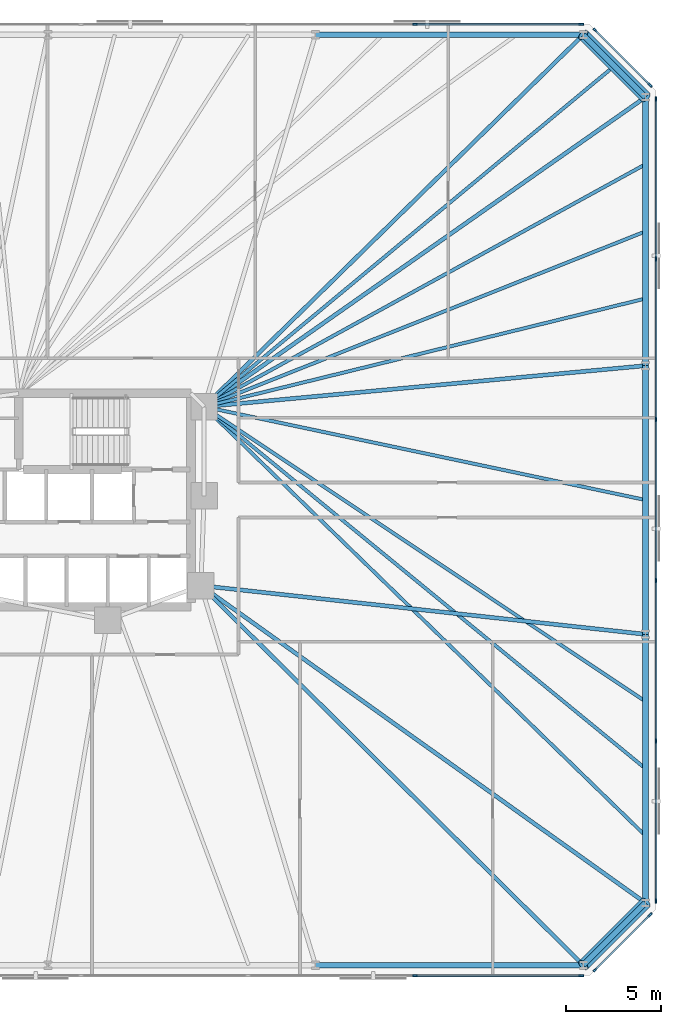
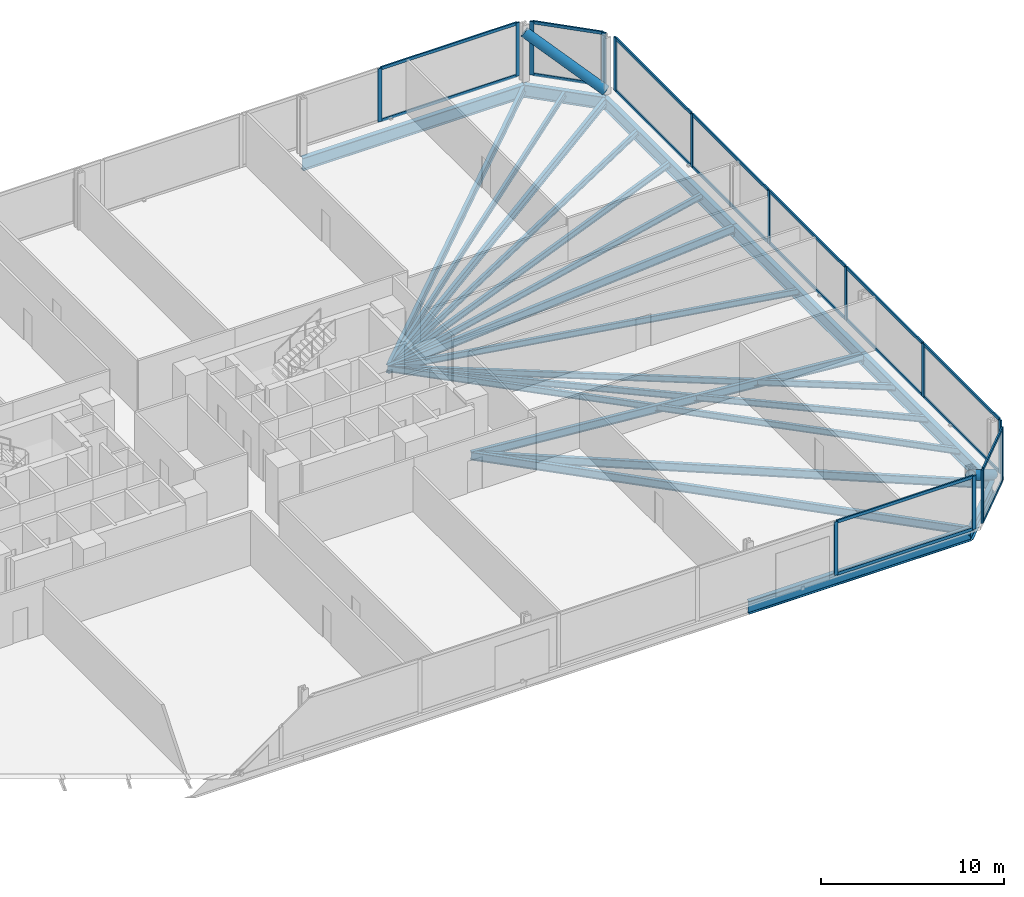
# One storey, part 10 of 17: 34 members, 21 beams, 5 elements without a shape of their own.
"""IFC4 building model written with IfcOpenShell, lengths in metres."""

from ifc_helpers import new_model, si_unit, direction, frame, origin, origin_2d, place, context, subcontext, project, spatial, rectangle, hollow_circle, i_section, extrude, material, material_profile, profile_set, type_object, element, aggregate, save


model = new_model("IFC4")

# Units and contexts
model_context = context("Model", 3, precision=1e-05, world=origin(), true_north=direction((0.0, 1.0)))
body_context = subcontext(model_context, "Body", "Model", "MODEL_VIEW")
ifc_project = project(units=[si_unit("LENGTHUNIT", "METRE"), si_unit("AREAUNIT", "SQUARE_METRE"), si_unit("VOLUMEUNIT", "CUBIC_METRE"), si_unit("PLANEANGLEUNIT", "RADIAN"), si_unit("MASSUNIT", "GRAM", prefix="KILO")], contexts=[model_context])

# Site, building, storey
site_placement = place(None, origin())
site = spatial("IfcSite", under=ifc_project, at=site_placement, CompositionType="ELEMENT")
building_placement = place(site_placement, origin())
building = spatial("IfcBuilding", under=site, at=building_placement, Name="Menara Jurai Vektor", CompositionType="ELEMENT")
storey_placement = place(building_placement, frame((0.0, 0.0, 52.199951171875)))
storey = spatial("IfcBuildingStorey", under=building, at=storey_placement, Name="L12", CompositionType="ELEMENT", Elevation=52.199951171875)

# Curtain wall, members
ifc_material_1 = material(Name="Anodised Pale Aluminium & Low-E Double Glazing", Category="aluminium")
curtain_wall_type = type_object("IfcCurtainWallType", Name="CW-BLK1", PredefinedType="NOTDEFINED", material=ifc_material_1)
curtain_wall_1_placement = place(storey_placement, origin())
curtain_wall_1 = element("IfcCurtainWall", 1, at=curtain_wall_1_placement, inside=storey, type_object=curtain_wall_type, Name="Unitised Curtain Wall L12 F01", PredefinedType="NOTDEFINED")
ifc_material_2 = material(Name="Anodised Pale Aluminium Mullion", Category="aluminium")
ifc_material_profile_1 = material_profile(ifc_material_2, rectangle(XDim=0.094970703125, YDim=0.239990234375, at=origin_2d()), Name="ALU MUL 95x240")
ifc_profile_set_1 = profile_set([ifc_material_profile_1], Name="Anodised Pale Aluminium Mullion")
member_type_1 = type_object("IfcMemberType", Name="CW-BLK1-MUL", PredefinedType="MULLION", material=ifc_profile_set_1)
member_1_placement = place(storey_placement, frame((26.340087890625, -25.0, 0.0), z_axis=(0.0, 0.0, 1.0), x_axis=(0.0, 1.0, 0.0)))
member_1 = element("IfcMember", 2, at=member_1_placement, type_object=member_type_1, Name="CW-01 mullion 8", PredefinedType="MULLION", context=body_context, shape_type="SweptSolid", body=[
    extrude(rectangle(XDim=0.094970703125, YDim=0.239990234375, at=origin_2d()), origin(), (0.0, 0.0, 1.0), 3.574951171875),
])
member_2_placement = place(storey_placement, frame((35.072509765625, -25.0, 0.0), z_axis=(0.0, 0.0, 1.0), x_axis=(0.0, 1.0, 0.0)))
member_2 = element("IfcMember", 3, at=member_2_placement, type_object=member_type_1, Name="CW-01 mullion 9", PredefinedType="MULLION", context=body_context, shape_type="SweptSolid", body=[
    extrude(rectangle(XDim=0.094970703125, YDim=0.239990234375, at=origin_2d()), origin(), (0.0, 0.0, 1.0), 3.574951171875),
])

curtain_wall_2_placement = place(storey_placement, origin())
curtain_wall_2 = element("IfcCurtainWall", 4, at=curtain_wall_2_placement, inside=storey, type_object=curtain_wall_type, Name="Unitised Curtain Wall L12 F02", PredefinedType="NOTDEFINED")
member_3_placement = place(storey_placement, frame((35.80224609375, -24.69775390625, 0.0), z_axis=(0.0, 0.0, 1.0), x_axis=(-0.707106781187, 0.707106781187, 0.0)))
member_3 = element("IfcMember", 5, at=member_3_placement, type_object=member_type_1, Name="CW-01 mullion 1", PredefinedType="MULLION", context=body_context, shape_type="SweptSolid", body=[
    extrude(rectangle(XDim=0.094970703125, YDim=0.239990234375, at=origin_2d()), origin(), (0.0, 0.0, 1.0), 3.574951171875),
])
member_4_placement = place(storey_placement, frame((38.69775390625, -21.80224609375, 0.0), z_axis=(0.0, 0.0, 1.0), x_axis=(-0.707106781187, 0.707106781187, 0.0)))
member_4 = element("IfcMember", 6, at=member_4_placement, type_object=member_type_1, Name="CW-01 mullion 2", PredefinedType="MULLION", context=body_context, shape_type="SweptSolid", body=[
    extrude(rectangle(XDim=0.094970703125, YDim=0.239990234375, at=origin_2d()), origin(), (0.0, 0.0, 1.0), 3.574951171875),
])

curtain_wall_3_placement = place(storey_placement, origin())
curtain_wall_3 = element("IfcCurtainWall", 7, at=curtain_wall_3_placement, inside=storey, type_object=curtain_wall_type, Name="Unitised Curtain Wall L12 F03", PredefinedType="NOTDEFINED")
member_5_placement = place(storey_placement, frame((39.0, -21.072509765625, 0.0), z_axis=(0.0, 0.0, 1.0), x_axis=(-1.0, 0.0, 0.0)))
member_5 = element("IfcMember", 8, at=member_5_placement, type_object=member_type_1, Name="CW-01 mullion 1", PredefinedType="MULLION", context=body_context, shape_type="SweptSolid", body=[
    extrude(rectangle(XDim=0.094970703125, YDim=0.239990234375, at=origin_2d()), origin(), (0.0, 0.0, 1.0), 3.574951171875),
])
member_6_placement = place(storey_placement, frame((39.0, -12.672119140625, 0.0), z_axis=(0.0, 0.0, 1.0), x_axis=(-1.0, 0.0, 0.0)))
member_6 = element("IfcMember", 9, at=member_6_placement, type_object=member_type_1, Name="CW-01 mullion 2", PredefinedType="MULLION", context=body_context, shape_type="SweptSolid", body=[
    extrude(rectangle(XDim=0.094970703125, YDim=0.239990234375, at=origin_2d()), origin(), (0.0, 0.0, 1.0), 3.574951171875),
])
member_7_placement = place(storey_placement, frame((39.0, -4.22412109375, 0.0), z_axis=(0.0, 0.0, 1.0), x_axis=(-1.0, 0.0, 0.0)))
member_7 = element("IfcMember", 10, at=member_7_placement, type_object=member_type_1, Name="CW-01 mullion 3", PredefinedType="MULLION", context=body_context, shape_type="SweptSolid", body=[
    extrude(rectangle(XDim=0.094970703125, YDim=0.239990234375, at=origin_2d()), origin(), (0.0, 0.0, 1.0), 3.574951171875),
])
member_8_placement = place(storey_placement, frame((39.0, 4.22412109375, 0.0), z_axis=(0.0, 0.0, 1.0), x_axis=(-1.0, 0.0, 0.0)))
member_8 = element("IfcMember", 11, at=member_8_placement, type_object=member_type_1, Name="CW-01 mullion 4", PredefinedType="MULLION", context=body_context, shape_type="SweptSolid", body=[
    extrude(rectangle(XDim=0.094970703125, YDim=0.239990234375, at=origin_2d()), origin(), (0.0, 0.0, 1.0), 3.574951171875),
])
member_9_placement = place(storey_placement, frame((39.0, 12.672119140625, 0.0), z_axis=(0.0, 0.0, 1.0), x_axis=(-1.0, 0.0, 0.0)))
member_9 = element("IfcMember", 12, at=member_9_placement, type_object=member_type_1, Name="CW-01 mullion 5", PredefinedType="MULLION", context=body_context, shape_type="SweptSolid", body=[
    extrude(rectangle(XDim=0.094970703125, YDim=0.239990234375, at=origin_2d()), origin(), (0.0, 0.0, 1.0), 3.574951171875),
])
member_10_placement = place(storey_placement, frame((39.0, 21.072509765625, 0.0), z_axis=(0.0, 0.0, 1.0), x_axis=(-1.0, 0.0, 0.0)))
member_10 = element("IfcMember", 13, at=member_10_placement, type_object=member_type_1, Name="CW-01 mullion 6", PredefinedType="MULLION", context=body_context, shape_type="SweptSolid", body=[
    extrude(rectangle(XDim=0.094970703125, YDim=0.239990234375, at=origin_2d()), origin(), (0.0, 0.0, 1.0), 3.574951171875),
])

curtain_wall_4_placement = place(storey_placement, origin())
curtain_wall_4 = element("IfcCurtainWall", 14, at=curtain_wall_4_placement, inside=storey, type_object=curtain_wall_type, Name="Unitised Curtain Wall L12 F04", PredefinedType="NOTDEFINED")
member_11_placement = place(storey_placement, frame((38.69775390625, 21.80224609375, 0.0), z_axis=(0.0, 0.0, 1.0), x_axis=(-0.707106781187, -0.707106781187, 0.0)))
member_11 = element("IfcMember", 15, at=member_11_placement, type_object=member_type_1, Name="CW-01 mullion 1", PredefinedType="MULLION", context=body_context, shape_type="SweptSolid", body=[
    extrude(rectangle(XDim=0.094970703125, YDim=0.239990234375, at=origin_2d()), origin(), (0.0, 0.0, 1.0), 3.574951171875),
])
member_12_placement = place(storey_placement, frame((35.80224609375, 24.69775390625, 0.0), z_axis=(0.0, 0.0, 1.0), x_axis=(-0.707106781187, -0.707106781187, 0.0)))
member_12 = element("IfcMember", 16, at=member_12_placement, type_object=member_type_1, Name="CW-01 mullion 2", PredefinedType="MULLION", context=body_context, shape_type="SweptSolid", body=[
    extrude(rectangle(XDim=0.094970703125, YDim=0.239990234375, at=origin_2d()), origin(), (0.0, 0.0, 1.0), 3.574951171875),
])

curtain_wall_5_placement = place(storey_placement, origin())
curtain_wall_5 = element("IfcCurtainWall", 17, at=curtain_wall_5_placement, inside=storey, type_object=curtain_wall_type, Name="Unitised Curtain Wall L12 F05", PredefinedType="NOTDEFINED")
member_13_placement = place(storey_placement, frame((35.072509765625, 25.0, 0.0), z_axis=(0.0, 0.0, 1.0), x_axis=(0.0, -1.0, 0.0)))
member_13 = element("IfcMember", 18, at=member_13_placement, type_object=member_type_1, Name="CW-01 mullion 1", PredefinedType="MULLION", context=body_context, shape_type="SweptSolid", body=[
    extrude(rectangle(XDim=0.094970703125, YDim=0.239990234375, at=origin_2d()), origin(), (0.0, 0.0, 1.0), 3.574951171875),
])
member_14_placement = place(storey_placement, frame((26.340087890625, 25.0, 0.0), z_axis=(0.0, 0.0, 1.0), x_axis=(0.0, -1.0, 0.0)))
member_14 = element("IfcMember", 19, at=member_14_placement, type_object=member_type_1, Name="CW-01 mullion 2", PredefinedType="MULLION", context=body_context, shape_type="SweptSolid", body=[
    extrude(rectangle(XDim=0.094970703125, YDim=0.239990234375, at=origin_2d()), origin(), (0.0, 0.0, 1.0), 3.574951171875),
])

# Member
ifc_material_3 = material(Name="Anodised Pale Aluminium Transom", Category="aluminium")
ifc_material_profile_2 = material_profile(ifc_material_3, rectangle(XDim=0.094970703125, YDim=0.199951171875, at=origin_2d()), Name="ALU TRN 95x200")
ifc_profile_set_2 = profile_set([ifc_material_profile_2], Name="Anodised Pale Aluminium Transom")
member_type_2 = type_object("IfcMemberType", Name="CW-BLK1-TRN", PredefinedType="USERDEFINED", material=ifc_profile_set_2)
member_15_placement = place(storey_placement, frame((26.387451171875, -25.0, 0.047607421875), z_axis=(1.0, 0.0, 0.0), x_axis=(0.0, 1.0, 0.0)))
member_15 = element("IfcMember", 20, at=member_15_placement, type_object=member_type_2, Name="CW-01 transom 8.1", ObjectType="TRANSOM", PredefinedType="USERDEFINED", context=body_context, shape_type="SweptSolid", body=[
    extrude(rectangle(XDim=0.094970703125, YDim=0.199951171875, at=origin_2d()), origin(), (0.0, 0.0, 1.0), 8.637451171875),
])

member_16_placement = place(storey_placement, frame((26.387451171875, -25.0, 3.527587890625), z_axis=(1.0, 0.0, 0.0), x_axis=(0.0, 1.0, 0.0)))
member_16 = element("IfcMember", 21, at=member_16_placement, type_object=member_type_2, Name="CW-01 transom 8.2", ObjectType="TRANSOM", PredefinedType="USERDEFINED", context=body_context, shape_type="SweptSolid", body=[
    extrude(rectangle(XDim=0.094970703125, YDim=0.199951171875, at=origin_2d()), origin(), (0.0, 0.0, 1.0), 8.637451171875),
])

aggregate(curtain_wall_1, [member_1, member_2, member_15, member_16])

member_17_placement = place(storey_placement, frame((35.8359375, -24.6640625, 0.047607421875), z_axis=(0.707106781187, 0.707106781187, 0.0), x_axis=(-0.707106781187, 0.707106781187, 0.0)))
member_17 = element("IfcMember", 22, at=member_17_placement, type_object=member_type_2, Name="CW-01 transom 1.1", ObjectType="TRANSOM", PredefinedType="USERDEFINED", context=body_context, shape_type="SweptSolid", body=[
    extrude(rectangle(XDim=0.094970703125, YDim=0.199951171875, at=origin_2d()), origin(), (0.0, 0.0, 1.0), 3.99951171875),
])

member_18_placement = place(storey_placement, frame((35.8359375, -24.6640625, 3.527587890625), z_axis=(0.707106781187, 0.707106781187, 0.0), x_axis=(-0.707106781187, 0.707106781187, 0.0)))
member_18 = element("IfcMember", 23, at=member_18_placement, type_object=member_type_2, Name="CW-01 transom 1.2", ObjectType="TRANSOM", PredefinedType="USERDEFINED", context=body_context, shape_type="SweptSolid", body=[
    extrude(rectangle(XDim=0.094970703125, YDim=0.199951171875, at=origin_2d()), origin(), (0.0, 0.0, 1.0), 3.99951171875),
])

aggregate(curtain_wall_2, [member_3, member_4, member_17, member_18])

member_19_placement = place(storey_placement, frame((39.0, -21.02490234375, 0.047607421875), z_axis=(0.0, 1.0, 0.0), x_axis=(-1.0, 0.0, 0.0)))
member_19 = element("IfcMember", 24, at=member_19_placement, type_object=member_type_2, Name="CW-01 transom 1.1", ObjectType="TRANSOM", PredefinedType="USERDEFINED", context=body_context, shape_type="SweptSolid", body=[
    extrude(rectangle(XDim=0.094970703125, YDim=0.199951171875, at=origin_2d()), origin(), (0.0, 0.0, 1.0), 8.305419921875),
])

member_20_placement = place(storey_placement, frame((39.0, -21.02490234375, 3.527587890625), z_axis=(0.0, 1.0, 0.0), x_axis=(-1.0, 0.0, 0.0)))
member_20 = element("IfcMember", 25, at=member_20_placement, type_object=member_type_2, Name="CW-01 transom 1.2", ObjectType="TRANSOM", PredefinedType="USERDEFINED", context=body_context, shape_type="SweptSolid", body=[
    extrude(rectangle(XDim=0.094970703125, YDim=0.199951171875, at=origin_2d()), origin(), (0.0, 0.0, 1.0), 8.305419921875),
])

member_21_placement = place(storey_placement, frame((39.0, -12.62451171875, 0.047607421875), z_axis=(0.0, 1.0, 0.0), x_axis=(-1.0, 0.0, 0.0)))
member_21 = element("IfcMember", 26, at=member_21_placement, type_object=member_type_2, Name="CW-01 transom 2.1", ObjectType="TRANSOM", PredefinedType="USERDEFINED", context=body_context, shape_type="SweptSolid", body=[
    extrude(rectangle(XDim=0.094970703125, YDim=0.199951171875, at=origin_2d()), origin(), (0.0, 0.0, 1.0), 8.35302734375),
])

member_22_placement = place(storey_placement, frame((39.0, -12.62451171875, 3.527587890625), z_axis=(0.0, 1.0, 0.0), x_axis=(-1.0, 0.0, 0.0)))
member_22 = element("IfcMember", 27, at=member_22_placement, type_object=member_type_2, Name="CW-01 transom 2.2", ObjectType="TRANSOM", PredefinedType="USERDEFINED", context=body_context, shape_type="SweptSolid", body=[
    extrude(rectangle(XDim=0.094970703125, YDim=0.199951171875, at=origin_2d()), origin(), (0.0, 0.0, 1.0), 8.35302734375),
])

member_23_placement = place(storey_placement, frame((39.0, -4.176513671875, 0.047607421875), z_axis=(0.0, 1.0, 0.0), x_axis=(-1.0, 0.0, 0.0)))
member_23 = element("IfcMember", 28, at=member_23_placement, type_object=member_type_2, Name="CW-01 transom 3.1", ObjectType="TRANSOM", PredefinedType="USERDEFINED", context=body_context, shape_type="SweptSolid", body=[
    extrude(rectangle(XDim=0.094970703125, YDim=0.199951171875, at=origin_2d()), origin(), (0.0, 0.0, 1.0), 8.35302734375),
])

member_24_placement = place(storey_placement, frame((39.0, -4.176513671875, 3.527587890625), z_axis=(0.0, 1.0, 0.0), x_axis=(-1.0, 0.0, 0.0)))
member_24 = element("IfcMember", 29, at=member_24_placement, type_object=member_type_2, Name="CW-01 transom 3.2", ObjectType="TRANSOM", PredefinedType="USERDEFINED", context=body_context, shape_type="SweptSolid", body=[
    extrude(rectangle(XDim=0.094970703125, YDim=0.199951171875, at=origin_2d()), origin(), (0.0, 0.0, 1.0), 8.35302734375),
])

member_25_placement = place(storey_placement, frame((39.0, 4.271484375, 0.047607421875), z_axis=(0.0, 1.0, 0.0), x_axis=(-1.0, 0.0, 0.0)))
member_25 = element("IfcMember", 30, at=member_25_placement, type_object=member_type_2, Name="CW-01 transom 4.1", ObjectType="TRANSOM", PredefinedType="USERDEFINED", context=body_context, shape_type="SweptSolid", body=[
    extrude(rectangle(XDim=0.094970703125, YDim=0.199951171875, at=origin_2d()), origin(), (0.0, 0.0, 1.0), 8.35302734375),
])

member_26_placement = place(storey_placement, frame((39.0, 4.271484375, 3.527587890625), z_axis=(0.0, 1.0, 0.0), x_axis=(-1.0, 0.0, 0.0)))
member_26 = element("IfcMember", 31, at=member_26_placement, type_object=member_type_2, Name="CW-01 transom 4.2", ObjectType="TRANSOM", PredefinedType="USERDEFINED", context=body_context, shape_type="SweptSolid", body=[
    extrude(rectangle(XDim=0.094970703125, YDim=0.199951171875, at=origin_2d()), origin(), (0.0, 0.0, 1.0), 8.35302734375),
])

member_27_placement = place(storey_placement, frame((39.0, 12.719482421875, 0.047607421875), z_axis=(0.0, 1.0, 0.0), x_axis=(-1.0, 0.0, 0.0)))
member_27 = element("IfcMember", 32, at=member_27_placement, type_object=member_type_2, Name="CW-01 transom 5.1", ObjectType="TRANSOM", PredefinedType="USERDEFINED", context=body_context, shape_type="SweptSolid", body=[
    extrude(rectangle(XDim=0.094970703125, YDim=0.199951171875, at=origin_2d()), origin(), (0.0, 0.0, 1.0), 8.305419921875),
])

member_28_placement = place(storey_placement, frame((39.0, 12.719482421875, 3.527587890625), z_axis=(0.0, 1.0, 0.0), x_axis=(-1.0, 0.0, 0.0)))
member_28 = element("IfcMember", 33, at=member_28_placement, type_object=member_type_2, Name="CW-01 transom 5.2", ObjectType="TRANSOM", PredefinedType="USERDEFINED", context=body_context, shape_type="SweptSolid", body=[
    extrude(rectangle(XDim=0.094970703125, YDim=0.199951171875, at=origin_2d()), origin(), (0.0, 0.0, 1.0), 8.305419921875),
])

aggregate(curtain_wall_3, [member_5, member_6, member_7, member_8, member_9, member_10, member_19, member_20, member_21, member_22, member_23, member_24, member_25, member_26, member_27, member_28])

member_29_placement = place(storey_placement, frame((38.6640625, 21.8359375, 0.047607421875), z_axis=(-0.707106781187, 0.707106781187, 0.0), x_axis=(-0.707106781187, -0.707106781187, 0.0)))
member_29 = element("IfcMember", 34, at=member_29_placement, type_object=member_type_2, Name="CW-01 transom 1.1", ObjectType="TRANSOM", PredefinedType="USERDEFINED", context=body_context, shape_type="SweptSolid", body=[
    extrude(rectangle(XDim=0.094970703125, YDim=0.199951171875, at=origin_2d()), origin(), (0.0, 0.0, 1.0), 3.99951171875),
])

member_30_placement = place(storey_placement, frame((38.6640625, 21.8359375, 3.527587890625), z_axis=(-0.707106781187, 0.707106781187, 0.0), x_axis=(-0.707106781187, -0.707106781187, 0.0)))
member_30 = element("IfcMember", 35, at=member_30_placement, type_object=member_type_2, Name="CW-01 transom 1.2", ObjectType="TRANSOM", PredefinedType="USERDEFINED", context=body_context, shape_type="SweptSolid", body=[
    extrude(rectangle(XDim=0.094970703125, YDim=0.199951171875, at=origin_2d()), origin(), (0.0, 0.0, 1.0), 3.99951171875),
])

aggregate(curtain_wall_4, [member_11, member_12, member_29, member_30])

member_31_placement = place(storey_placement, frame((35.02490234375, 25.0, 0.047607421875), z_axis=(-1.0, 0.0, 0.0), x_axis=(0.0, -1.0, 0.0)))
member_31 = element("IfcMember", 36, at=member_31_placement, type_object=member_type_2, Name="CW-01 transom 1.1", ObjectType="TRANSOM", PredefinedType="USERDEFINED", context=body_context, shape_type="SweptSolid", body=[
    extrude(rectangle(XDim=0.094970703125, YDim=0.199951171875, at=origin_2d()), origin(), (0.0, 0.0, 1.0), 8.637451171875),
])

member_32_placement = place(storey_placement, frame((35.02490234375, 25.0, 3.527587890625), z_axis=(-1.0, 0.0, 0.0), x_axis=(0.0, -1.0, 0.0)))
member_32 = element("IfcMember", 37, at=member_32_placement, type_object=member_type_2, Name="CW-01 transom 1.2", ObjectType="TRANSOM", PredefinedType="USERDEFINED", context=body_context, shape_type="SweptSolid", body=[
    extrude(rectangle(XDim=0.094970703125, YDim=0.199951171875, at=origin_2d()), origin(), (0.0, 0.0, 1.0), 8.637451171875),
])

aggregate(curtain_wall_5, [member_13, member_14, member_31, member_32])

# Beams
ifc_material_4 = material(Name="Steel S355", Category="steel")
ifc_material_profile_3 = material_profile(ifc_material_4, i_section(OverallWidth=0.2109375, OverallDepth=0.5390625, WebThickness=0.011962890625, FlangeThickness=0.01904296875, FilletRadius=0.012939453125, at=origin_2d()), Name="UKB 533x210x109")
ifc_profile_set_3 = profile_set([ifc_material_profile_3], Name="Steel S355")
beam_type_1 = type_object("IfcBeamType", Name="STR-BM-533", PredefinedType="BEAM", material=ifc_profile_set_3)
beam_1_placement = place(storey_placement, frame((35.177734375, -24.449951171875, -0.494384765625), z_axis=(-0.709709931659, 0.704494011972, 0.0), x_axis=(-0.704494011972, -0.709709931659, 0.0)))
element("IfcBeam", 38, at=beam_1_placement, inside=storey, type_object=beam_type_1, Name="Radial Floor Girder L12-S6", PredefinedType="BEAM", context=body_context, shape_type="SweptSolid", body=[
    extrude(i_section(OverallWidth=0.2109375, OverallDepth=0.5390625, WebThickness=0.011962890625, FlangeThickness=0.01904296875, FilletRadius=0.012939453125, at=origin_2d()), origin(), (0.0, 0.0, 1.0), 28.318115234375),
])
beam_2_placement = place(storey_placement, frame((38.449951171875, -21.177734375, -0.494384765625), z_axis=(-0.813981033216, 0.580891450759, 0.0), x_axis=(-0.580891450759, -0.813981033216, 0.0)))
element("IfcBeam", 39, at=beam_2_placement, inside=storey, type_object=beam_type_1, Name="Radial Floor Girder L12-E1", PredefinedType="BEAM", context=body_context, shape_type="SweptSolid", body=[
    extrude(i_section(OverallWidth=0.2109375, OverallDepth=0.5390625, WebThickness=0.011962890625, FlangeThickness=0.01904296875, FilletRadius=0.012939453125, at=origin_2d()), origin(), (0.0, 0.0, 1.0), 28.710693359375),
])
beam_3_placement = place(storey_placement, frame((38.449951171875, -7.059326171875, -0.494384765625), z_axis=(-0.994056757953, 0.108863042253, 0.0), x_axis=(-0.108863042253, -0.994056757953, 0.0)))
element("IfcBeam", 40, at=beam_3_placement, inside=storey, type_object=beam_type_1, Name="Radial Floor Girder L12-E2", PredefinedType="BEAM", context=body_context, shape_type="SweptSolid", body=[
    extrude(i_section(OverallWidth=0.2109375, OverallDepth=0.5390625, WebThickness=0.011962890625, FlangeThickness=0.01904296875, FilletRadius=0.012939453125, at=origin_2d()), origin(), (0.0, 0.0, 1.0), 23.509521484375),
])
beam_4_placement = place(storey_placement, frame((38.449951171875, 7.059326171875, -0.494384765625), z_axis=(-0.995696113112, -0.092678208514, 0.0), x_axis=(0.092678208514, -0.995696113112, 0.0)))
element("IfcBeam", 41, at=beam_4_placement, inside=storey, type_object=beam_type_1, Name="Radial Floor Girder L12-E3", PredefinedType="BEAM", context=body_context, shape_type="SweptSolid", body=[
    extrude(i_section(OverallWidth=0.2109375, OverallDepth=0.5390625, WebThickness=0.011962890625, FlangeThickness=0.01904296875, FilletRadius=0.012939453125, at=origin_2d()), origin(), (0.0, 0.0, 1.0), 23.30029296875),
])
beam_5_placement = place(storey_placement, frame((38.449951171875, 21.177734375, -0.494384765625), z_axis=(-0.818603732445, -0.574358711283, 0.0), x_axis=(0.574358711283, -0.818603732445, 0.0)))
element("IfcBeam", 42, at=beam_5_placement, inside=storey, type_object=beam_type_1, Name="Radial Floor Girder L12-E4", PredefinedType="BEAM", context=body_context, shape_type="SweptSolid", body=[
    extrude(i_section(OverallWidth=0.2109375, OverallDepth=0.5390625, WebThickness=0.011962890625, FlangeThickness=0.01904296875, FilletRadius=0.012939453125, at=origin_2d()), origin(), (0.0, 0.0, 1.0), 28.3408203125),
])
beam_6_placement = place(storey_placement, frame((35.177734375, 24.449951171875, -0.494384765625), z_axis=(-0.713839032855, -0.700309813706, 0.0), x_axis=(0.700309813706, -0.713839032855, 0.0)))
element("IfcBeam", 43, at=beam_6_placement, inside=storey, type_object=beam_type_1, Name="Radial Floor Girder L12-N1", PredefinedType="BEAM", context=body_context, shape_type="SweptSolid", body=[
    extrude(i_section(OverallWidth=0.2109375, OverallDepth=0.5390625, WebThickness=0.011962890625, FlangeThickness=0.01904296875, FilletRadius=0.012939453125, at=origin_2d()), origin(), (0.0, 0.0, 1.0), 27.916259765625),
])

# Members
ifc_material_5 = material(Name="Steel S460", Category="steel")
ifc_material_profile_4 = material_profile(ifc_material_5, hollow_circle(Radius=0.304931640625, WallThickness=0.02490234375, at=origin_2d()), Name="CHS 610x25")
ifc_profile_set_4 = profile_set([ifc_material_profile_4], Name="Steel S460")
member_type_3 = type_object("IfcMemberType", Name="STR-BR-610", PredefinedType="BRACE", material=ifc_profile_set_4)
for number, where, z_axis, x_axis, name in (
    (44, (38.449951171875, -21.177734375, 0.150146484375), (-0.588942422958, -0.588942422958, 0.553438022619), (0.707106781187, -0.707106781187, 0.0), "Exoskeleton Corner Brace L12-1"),
    (45, (38.449951171875, 21.177734375, 0.150146484375), (-0.588942422958, 0.588942422958, 0.553438022619), (-0.707106781187, -0.707106781187, 0.0), "Exoskeleton Corner Brace L12-2"),
):
    element("IfcMember", number, at=place(storey_placement, frame(where, z_axis=z_axis, x_axis=x_axis)), inside=storey, type_object=member_type_3, Name=name, PredefinedType="BRACE", context=body_context, shape_type="SweptSolid", body=[
        extrude(hollow_circle(Radius=0.304931640625, WallThickness=0.02490234375, at=origin_2d()), origin(), (0.0, 0.0, 1.0), 5.55615234375),
    ])

# Beams
ifc_material_profile_5 = material_profile(ifc_material_4, i_section(OverallWidth=0.178955078125, OverallDepth=0.408935546875, WebThickness=0.009033203125, FlangeThickness=0.013916015625, FilletRadius=0.010009765625, at=origin_2d()), Name="UKB 406x178x67")
ifc_profile_set_5 = profile_set([ifc_material_profile_5], Name="Steel S355")
beam_type_2 = type_object("IfcBeamType", Name="STR-JS-406", PredefinedType="JOIST", material=ifc_profile_set_5)
beam_7_placement = place(storey_placement, frame((38.449951171875, -17.648193359375, -0.429443359375), z_axis=(-0.71710942187, 0.696960599363, 0.0), x_axis=(-0.696960599363, -0.71710942187, 0.0)))
element("IfcBeam", 46, at=beam_7_placement, inside=storey, type_object=beam_type_2, Name="Radial Secondary Floor Joist L12-JS08", PredefinedType="JOIST", context=body_context, shape_type="SweptSolid", body=[
    extrude(i_section(OverallWidth=0.178955078125, OverallDepth=0.408935546875, WebThickness=0.009033203125, FlangeThickness=0.013916015625, FilletRadius=0.010009765625, at=origin_2d()), origin(), (0.0, 0.0, 1.0), 32.35205078125),
])
beam_8_placement = place(storey_placement, frame((38.449951171875, -14.118408203125, -0.429443359375), z_axis=(-0.773360118456, 0.633966976413, 0.0), x_axis=(-0.633966976413, -0.773360118456, 0.0)))
element("IfcBeam", 47, at=beam_8_placement, inside=storey, type_object=beam_type_2, Name="Radial Secondary Floor Joist L12-JS09", PredefinedType="JOIST", context=body_context, shape_type="SweptSolid", body=[
    extrude(i_section(OverallWidth=0.178955078125, OverallDepth=0.408935546875, WebThickness=0.009033203125, FlangeThickness=0.013916015625, FilletRadius=0.010009765625, at=origin_2d()), origin(), (0.0, 0.0, 1.0), 29.998779296875),
])
beam_9_placement = place(storey_placement, frame((38.449951171875, -10.5888671875, -0.429443359375), z_axis=(-0.831683872109, 0.555249436627, 0.0), x_axis=(-0.555249436627, -0.831683872109, 0.0)))
element("IfcBeam", 48, at=beam_9_placement, inside=storey, type_object=beam_type_2, Name="Radial Secondary Floor Joist L12-JS10", PredefinedType="JOIST", context=body_context, shape_type="SweptSolid", body=[
    extrude(i_section(OverallWidth=0.178955078125, OverallDepth=0.408935546875, WebThickness=0.009033203125, FlangeThickness=0.013916015625, FilletRadius=0.010009765625, at=origin_2d()), origin(), (0.0, 0.0, 1.0), 27.895263671875),
])
beam_10_placement = place(storey_placement, frame((38.449951171875, 0.0, -0.429443359375), z_axis=(-0.978416084102, 0.206644541109, 0.0), x_axis=(-0.206644541109, -0.978416084102, 0.0)))
element("IfcBeam", 49, at=beam_10_placement, inside=storey, type_object=beam_type_2, Name="Radial Secondary Floor Joist L12-JS11", PredefinedType="JOIST", context=body_context, shape_type="SweptSolid", body=[
    extrude(i_section(OverallWidth=0.178955078125, OverallDepth=0.408935546875, WebThickness=0.009033203125, FlangeThickness=0.013916015625, FilletRadius=0.010009765625, at=origin_2d()), origin(), (0.0, 0.0, 1.0), 23.711669921875),
])
beam_11_placement = place(storey_placement, frame((38.449951171875, 10.5888671875, -0.429443359375), z_axis=(-0.971226234641, -0.238158772976, 0.0), x_axis=(0.238158772976, -0.971226234641, 0.0)))
element("IfcBeam", 50, at=beam_11_placement, inside=storey, type_object=beam_type_2, Name="Radial Secondary Floor Joist L12-JS12", PredefinedType="JOIST", context=body_context, shape_type="SweptSolid", body=[
    extrude(i_section(OverallWidth=0.178955078125, OverallDepth=0.408935546875, WebThickness=0.009033203125, FlangeThickness=0.013916015625, FilletRadius=0.010009765625, at=origin_2d()), origin(), (0.0, 0.0, 1.0), 23.88720703125),
])
beam_12_placement = place(storey_placement, frame((38.449951171875, 14.118408203125, -0.429443359375), z_axis=(-0.929323400723, -0.369266864027, 0.0), x_axis=(0.369266864027, -0.929323400723, 0.0)))
element("IfcBeam", 51, at=beam_12_placement, inside=storey, type_object=beam_type_2, Name="Radial Secondary Floor Joist L12-JS13", PredefinedType="JOIST", context=body_context, shape_type="SweptSolid", body=[
    extrude(i_section(OverallWidth=0.178955078125, OverallDepth=0.408935546875, WebThickness=0.009033203125, FlangeThickness=0.013916015625, FilletRadius=0.010009765625, at=origin_2d()), origin(), (0.0, 0.0, 1.0), 24.96435546875),
])
beam_13_placement = place(storey_placement, frame((38.449951171875, 17.648193359375, -0.429443359375), z_axis=(-0.87640219057, -0.481579900291, 0.0), x_axis=(0.481579900291, -0.87640219057, 0.0)))
element("IfcBeam", 52, at=beam_13_placement, inside=storey, type_object=beam_type_2, Name="Radial Secondary Floor Joist L12-JS14", PredefinedType="JOIST", context=body_context, shape_type="SweptSolid", body=[
    extrude(i_section(OverallWidth=0.178955078125, OverallDepth=0.408935546875, WebThickness=0.009033203125, FlangeThickness=0.013916015625, FilletRadius=0.010009765625, at=origin_2d()), origin(), (0.0, 0.0, 1.0), 26.471923828125),
])
beam_14_placement = place(storey_placement, frame((36.81396484375, 22.81396484375, -0.429443359375), z_axis=(-0.769201173096, -0.639006694259, 0.0), x_axis=(0.639006694259, -0.769201173096, 0.0)))
element("IfcBeam", 53, at=beam_14_placement, inside=storey, type_object=beam_type_2, Name="Radial Secondary Floor Joist L12-JS15", PredefinedType="JOIST", context=body_context, shape_type="SweptSolid", body=[
    extrude(i_section(OverallWidth=0.178955078125, OverallDepth=0.408935546875, WebThickness=0.009033203125, FlangeThickness=0.013916015625, FilletRadius=0.010009765625, at=origin_2d()), origin(), (0.0, 0.0, 1.0), 28.0341796875),
])
ifc_material_profile_6 = material_profile(ifc_material_5, i_section(OverallWidth=0.2939453125, OverallDepth=0.85107421875, WebThickness=0.01611328125, FlangeThickness=0.027099609375, FilletRadius=0.01806640625, at=origin_2d()), Name="UKB 838x292x226")
ifc_profile_set_6 = profile_set([ifc_material_profile_6], Name="Steel S460")
beam_type_3 = type_object("IfcBeamType", Name="STR-SP-838", PredefinedType="SPANDREL", material=ifc_profile_set_6)
beam_15_placement = place(storey_placement, frame((21.106689453125, -24.449951171875, -0.650390625), z_axis=(1.0, 0.0, 0.0), x_axis=(0.0, 1.0, 0.0)))
element("IfcBeam", 54, at=beam_15_placement, inside=storey, type_object=beam_type_3, Name="Exoskeleton Spandrel Beam L12-05", PredefinedType="SPANDREL", context=body_context, shape_type="SweptSolid", body=[
    extrude(i_section(OverallWidth=0.2939453125, OverallDepth=0.85107421875, WebThickness=0.01611328125, FlangeThickness=0.027099609375, FilletRadius=0.01806640625, at=origin_2d()), origin(), (0.0, 0.0, 1.0), 14.071044921875),
])
beam_16_placement = place(storey_placement, frame((35.177734375, -24.449951171875, -0.650390625), z_axis=(0.707106781187, 0.707106781187, 0.0), x_axis=(-0.707106781187, 0.707106781187, 0.0)))
element("IfcBeam", 55, at=beam_16_placement, inside=storey, type_object=beam_type_3, Name="Exoskeleton Spandrel Beam L12-06", PredefinedType="SPANDREL", context=body_context, shape_type="SweptSolid", body=[
    extrude(i_section(OverallWidth=0.2939453125, OverallDepth=0.85107421875, WebThickness=0.01611328125, FlangeThickness=0.027099609375, FilletRadius=0.01806640625, at=origin_2d()), origin(), (0.0, 0.0, 1.0), 4.627685546875),
])
beam_17_placement = place(storey_placement, frame((38.449951171875, -21.177734375, -0.650390625), z_axis=(0.0, 1.0, 0.0), x_axis=(-1.0, 0.0, 0.0)))
element("IfcBeam", 56, at=beam_17_placement, inside=storey, type_object=beam_type_3, Name="Exoskeleton Spandrel Beam L12-07", PredefinedType="SPANDREL", context=body_context, shape_type="SweptSolid", body=[
    extrude(i_section(OverallWidth=0.2939453125, OverallDepth=0.85107421875, WebThickness=0.01611328125, FlangeThickness=0.027099609375, FilletRadius=0.01806640625, at=origin_2d()), origin(), (0.0, 0.0, 1.0), 14.118408203125),
])
beam_18_placement = place(storey_placement, frame((38.449951171875, -7.059326171875, -0.650390625), z_axis=(0.0, 1.0, 0.0), x_axis=(-1.0, 0.0, 0.0)))
element("IfcBeam", 57, at=beam_18_placement, inside=storey, type_object=beam_type_3, Name="Exoskeleton Spandrel Beam L12-08", PredefinedType="SPANDREL", context=body_context, shape_type="SweptSolid", body=[
    extrude(i_section(OverallWidth=0.2939453125, OverallDepth=0.85107421875, WebThickness=0.01611328125, FlangeThickness=0.027099609375, FilletRadius=0.01806640625, at=origin_2d()), origin(), (0.0, 0.0, 1.0), 14.11865234375),
])
beam_19_placement = place(storey_placement, frame((38.449951171875, 7.059326171875, -0.650390625), z_axis=(0.0, 1.0, 0.0), x_axis=(-1.0, 0.0, 0.0)))
element("IfcBeam", 58, at=beam_19_placement, inside=storey, type_object=beam_type_3, Name="Exoskeleton Spandrel Beam L12-09", PredefinedType="SPANDREL", context=body_context, shape_type="SweptSolid", body=[
    extrude(i_section(OverallWidth=0.2939453125, OverallDepth=0.85107421875, WebThickness=0.01611328125, FlangeThickness=0.027099609375, FilletRadius=0.01806640625, at=origin_2d()), origin(), (0.0, 0.0, 1.0), 14.118408203125),
])
beam_20_placement = place(storey_placement, frame((38.449951171875, 21.177734375, -0.650390625), z_axis=(-0.707106781187, 0.707106781187, 0.0), x_axis=(-0.707106781187, -0.707106781187, 0.0)))
element("IfcBeam", 59, at=beam_20_placement, inside=storey, type_object=beam_type_3, Name="Exoskeleton Spandrel Beam L12-10", PredefinedType="SPANDREL", context=body_context, shape_type="SweptSolid", body=[
    extrude(i_section(OverallWidth=0.2939453125, OverallDepth=0.85107421875, WebThickness=0.01611328125, FlangeThickness=0.027099609375, FilletRadius=0.01806640625, at=origin_2d()), origin(), (0.0, 0.0, 1.0), 4.627685546875),
])
beam_21_placement = place(storey_placement, frame((35.177734375, 24.449951171875, -0.650390625), z_axis=(-1.0, 0.0, 0.0), x_axis=(0.0, -1.0, 0.0)))
element("IfcBeam", 60, at=beam_21_placement, inside=storey, type_object=beam_type_3, Name="Exoskeleton Spandrel Beam L12-11", PredefinedType="SPANDREL", context=body_context, shape_type="SweptSolid", body=[
    extrude(i_section(OverallWidth=0.2939453125, OverallDepth=0.85107421875, WebThickness=0.01611328125, FlangeThickness=0.027099609375, FilletRadius=0.01806640625, at=origin_2d()), origin(), (0.0, 0.0, 1.0), 14.071044921875),
])

save(model, "model.ifc")
